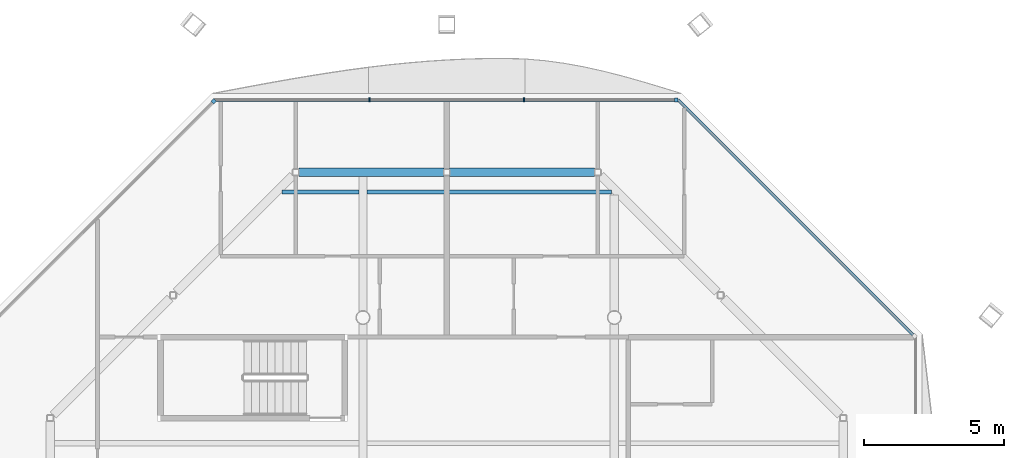
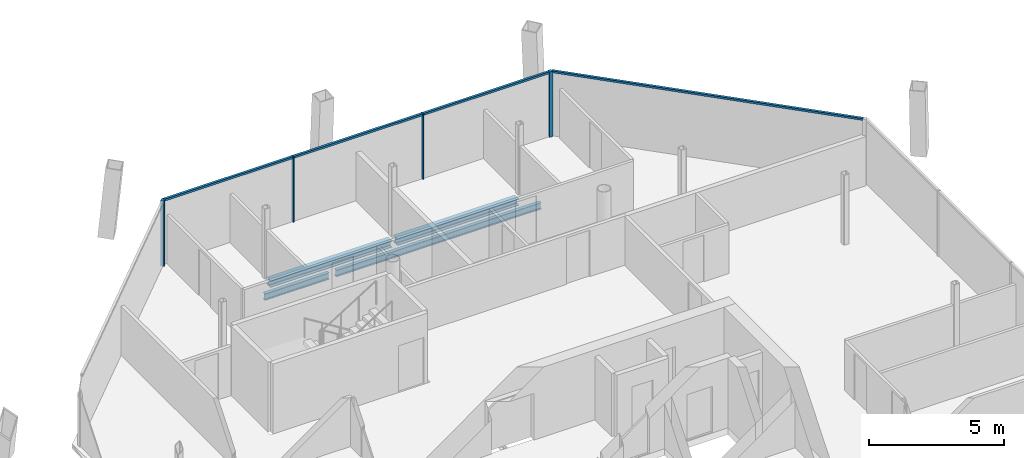
# One storey, part 8 of 16: 8 members, 4 beams, 3 elements without a shape of their own.
"""IFC4 building model written with IfcOpenShell, lengths in metres."""

from ifc_helpers import new_model, si_unit, direction, frame, origin, origin_2d, place, context, subcontext, project, spatial, rectangle, i_section, extrude, material, material_profile, profile_set, type_object, element, aggregate, save


model = new_model("IFC4")

# Units and contexts
model_context = context("Model", 3, precision=1e-05, world=origin(), true_north=direction((0.0, 1.0)))
body_context = subcontext(model_context, "Body", "Model", "MODEL_VIEW")
ifc_project = project(units=[si_unit("LENGTHUNIT", "METRE"), si_unit("AREAUNIT", "SQUARE_METRE"), si_unit("VOLUMEUNIT", "CUBIC_METRE"), si_unit("PLANEANGLEUNIT", "RADIAN"), si_unit("MASSUNIT", "GRAM", prefix="KILO")], contexts=[model_context])

# Site, building, storey
site_placement = place(None, origin())
site = spatial("IfcSite", under=ifc_project, at=site_placement, CompositionType="ELEMENT")
building_placement = place(site_placement, origin())
building = spatial("IfcBuilding", under=site, at=building_placement, Name="Tskaro Facet Tower", CompositionType="ELEMENT")
storey_placement = place(building_placement, frame((0.0, 0.0, 265.800048828125)))
storey = spatial("IfcBuildingStorey", under=building, at=storey_placement, Name="L70", CompositionType="ELEMENT", Elevation=265.800048828125)

# Curtain wall, member
ifc_material_1 = material(Name="Bronze anodised aluminium 6063-T6", Category="aluminium")
curtain_wall_type = type_object("IfcCurtainWallType", Name="Bronze residence curtain wall (FW3)", PredefinedType="NOTDEFINED", material=ifc_material_1)
curtain_wall_1_placement = place(storey_placement, origin())
curtain_wall_1 = element("IfcCurtainWall", 1, at=curtain_wall_1_placement, inside=storey, type_object=curtain_wall_type, Name="FW3 north facet L70", PredefinedType="NOTDEFINED")
ifc_material_profile_1 = material_profile(ifc_material_1, rectangle(XDim=0.139892578125, YDim=0.139892578125, at=origin_2d()), Name="Corner post 140x140")
ifc_profile_set_1 = profile_set([ifc_material_profile_1], Name="Bronze anodised aluminium 6063-T6")
member_type_1 = type_object("IfcMemberType", Name="FW3 bronze corner post 140x140", PredefinedType="MULLION", material=ifc_profile_set_1)
member_1_placement = place(storey_placement, frame((11.217041015625, 16.79296875, 0.0), z_axis=(0.0, 0.0, 1.0), x_axis=(-1.0, 0.0, 0.0)))
member_1 = element("IfcMember", 2, at=member_1_placement, type_object=member_type_1, Name="FW3 north corner post", PredefinedType="MULLION", context=body_context, shape_type="SweptSolid", body=[
    extrude(rectangle(XDim=0.139892578125, YDim=0.139892578125, at=origin_2d()), origin(), (0.0, 0.0, 1.0), 2.949951171875),
])

curtain_wall_2_placement = place(storey_placement, origin())
curtain_wall_2 = element("IfcCurtainWall", 3, at=curtain_wall_2_placement, inside=storey, type_object=curtain_wall_type, Name="FW3 north-west facet L70", PredefinedType="NOTDEFINED")
member_2_placement = place(storey_placement, frame((-5.33642578125, 16.743408203125, 0.0), z_axis=(0.0, 0.0, 1.0), x_axis=(-0.707106781187, -0.707106781187, 0.0)))
member_2 = element("IfcMember", 4, at=member_2_placement, type_object=member_type_1, Name="FW3 north-west corner post", PredefinedType="MULLION", context=body_context, shape_type="SweptSolid", body=[
    extrude(rectangle(XDim=0.139892578125, YDim=0.139892578125, at=origin_2d()), origin(), (0.0, 0.0, 1.0), 2.949951171875),
])
aggregate(curtain_wall_2, [member_2])

# Member
ifc_material_profile_2 = material_profile(ifc_material_1, rectangle(XDim=0.050048828125, YDim=0.139892578125, at=origin_2d()), Name="Mullion 50x140")
ifc_profile_set_2 = profile_set([ifc_material_profile_2], Name="Bronze anodised aluminium 6063-T6")
member_type_2 = type_object("IfcMemberType", Name="FW3 bronze mullion 50x140", PredefinedType="MULLION", material=ifc_profile_set_2)
member_3_placement = place(storey_placement, frame((5.762451171875, 16.79296875, 0.0), z_axis=(0.0, 0.0, 1.0), x_axis=(-1.0, 0.0, 0.0)))
member_3 = element("IfcMember", 5, at=member_3_placement, type_object=member_type_2, Name="FW3 north mullion 1", PredefinedType="MULLION", context=body_context, shape_type="SweptSolid", body=[
    extrude(rectangle(XDim=0.050048828125, YDim=0.139892578125, at=origin_2d()), origin(), (0.0, 0.0, 1.0), 2.949951171875),
])

member_4_placement = place(storey_placement, frame((0.237548828125, 16.79296875, 0.0), z_axis=(0.0, 0.0, 1.0), x_axis=(-1.0, 0.0, 0.0)))
member_4 = element("IfcMember", 6, at=member_4_placement, type_object=member_type_2, Name="FW3 north mullion 2", PredefinedType="MULLION", context=body_context, shape_type="SweptSolid", body=[
    extrude(rectangle(XDim=0.050048828125, YDim=0.139892578125, at=origin_2d()), origin(), (0.0, 0.0, 1.0), 2.949951171875),
])

# Curtain wall, member
curtain_wall_3_placement = place(storey_placement, origin())
curtain_wall_3 = element("IfcCurtainWall", 7, at=curtain_wall_3_placement, inside=storey, type_object=curtain_wall_type, Name="FW3 north-east facet L70", PredefinedType="NOTDEFINED")
ifc_material_profile_3 = material_profile(ifc_material_1, rectangle(XDim=0.10009765625, YDim=0.090087890625, at=origin_2d()), Name="Transom 100x90")
ifc_profile_set_3 = profile_set([ifc_material_profile_3], Name="Bronze anodised aluminium 6063-T6")
member_type_3 = type_object("IfcMemberType", Name="FW3 bronze transom 100x90", PredefinedType="USERDEFINED", material=ifc_profile_set_3)
member_5_placement = place(storey_placement, frame((19.694091796875, 8.385986328125, 2.905029296875), z_axis=(-0.707106781187, 0.707106781187, 0.0), x_axis=(-0.707106781187, -0.707106781187, 0.0)))
member_5 = element("IfcMember", 8, at=member_5_placement, type_object=member_type_3, Name="FW3 north-east transom 1.1", ObjectType="TRANSOM", PredefinedType="USERDEFINED", context=body_context, shape_type="SweptSolid", body=[
    extrude(rectangle(XDim=0.10009765625, YDim=0.090087890625, at=origin_2d()), origin(), (0.0, 0.0, 1.0), 11.88916015625),
])
aggregate(curtain_wall_3, [member_5])

# Member
member_6_placement = place(storey_placement, frame((11.14697265625, 16.79296875, 2.905029296875), z_axis=(-1.0, 0.0, 0.0), x_axis=(0.0, -1.0, 0.0)))
member_6 = element("IfcMember", 9, at=member_6_placement, type_object=member_type_3, Name="FW3 north transom 1.1", ObjectType="TRANSOM", PredefinedType="USERDEFINED", context=body_context, shape_type="SweptSolid", body=[
    extrude(rectangle(XDim=0.10009765625, YDim=0.090087890625, at=origin_2d()), origin(), (0.0, 0.0, 1.0), 5.359619140625),
])

member_7_placement = place(storey_placement, frame((5.7373046875, 16.79296875, 2.905029296875), z_axis=(-1.0, 0.0, 0.0), x_axis=(0.0, -1.0, 0.0)))
member_7 = element("IfcMember", 10, at=member_7_placement, type_object=member_type_3, Name="FW3 north transom 2.1", ObjectType="TRANSOM", PredefinedType="USERDEFINED", context=body_context, shape_type="SweptSolid", body=[
    extrude(rectangle(XDim=0.10009765625, YDim=0.090087890625, at=origin_2d()), origin(), (0.0, 0.0, 1.0), 5.474609375),
])

member_8_placement = place(storey_placement, frame((0.212646484375, 16.79296875, 2.905029296875), z_axis=(-1.0, 0.0, 0.0), x_axis=(0.0, -1.0, 0.0)))
member_8 = element("IfcMember", 11, at=member_8_placement, type_object=member_type_3, Name="FW3 north transom 3.1", ObjectType="TRANSOM", PredefinedType="USERDEFINED", context=body_context, shape_type="SweptSolid", body=[
    extrude(rectangle(XDim=0.10009765625, YDim=0.090087890625, at=origin_2d()), origin(), (0.0, 0.0, 1.0), 5.499755859375),
])

aggregate(curtain_wall_1, [member_1, member_3, member_4, member_6, member_7, member_8])

# Beams
ifc_material_2 = material(Name="Steel S355J2", Category="steel")
ifc_material_profile_4 = material_profile(ifc_material_2, i_section(OverallWidth=0.300048828125, OverallDepth=0.300048828125, WebThickness=0.010986328125, FlangeThickness=0.01904296875, FilletRadius=0.027099609375, at=origin_2d()), Name="HE 300 B")
ifc_profile_set_4 = profile_set([ifc_material_profile_4], Name="Steel S355J2")
beam_type_1 = type_object("IfcBeamType", Name="HE 300 B ring beam", PredefinedType="BEAM", material=ifc_profile_set_4)
for number, where, z_axis, x_axis, name in (
    (12, (8.298095703125, 14.199951171875, -0.2900390625), (-1.0, 0.0, 0.0), (0.0, -1.0, 0.0), "HE 300 B EB9-6"),
    (13, (2.89501953125, 14.199951171875, -0.2900390625), (-1.0, 0.0, 0.0), (0.0, -1.0, 0.0), "HE 300 B EB10-6"),
):
    element("IfcBeam", number, at=place(storey_placement, frame(where, z_axis=z_axis, x_axis=x_axis)), inside=storey, type_object=beam_type_1, Name=name, PredefinedType="BEAM", context=body_context, shape_type="SweptSolid", body=[
        extrude(i_section(OverallWidth=0.300048828125, OverallDepth=0.300048828125, WebThickness=0.010986328125, FlangeThickness=0.01904296875, FilletRadius=0.027099609375, at=origin_2d()), origin(), (0.0, 0.0, 1.0), 5.193115234375),
    ])
ifc_material_profile_5 = material_profile(ifc_material_2, i_section(OverallWidth=0.14990234375, OverallDepth=0.300048828125, WebThickness=0.007080078125, FlangeThickness=0.0107421875, FilletRadius=0.014892578125, at=origin_2d()), Name="IPE 300")
ifc_profile_set_5 = profile_set([ifc_material_profile_5], Name="Steel S355J2")
beam_type_2 = type_object("IfcBeamType", Name="IPE 300 secondary beam", PredefinedType="BEAM", material=ifc_profile_set_5)
beam_1_placement = place(storey_placement, frame((-2.89111328125, 13.5, -0.2900390625), z_axis=(1.0, 0.0, 0.0), x_axis=(0.0, 1.0, 0.0)))
element("IfcBeam", 14, at=beam_1_placement, inside=storey, type_object=beam_type_2, Name="IPE 300 SB5a-1-6", PredefinedType="BEAM", context=body_context, shape_type="SweptSolid", body=[
    extrude(i_section(OverallWidth=0.14990234375, OverallDepth=0.300048828125, WebThickness=0.007080078125, FlangeThickness=0.0107421875, FilletRadius=0.014892578125, at=origin_2d()), origin(), (0.0, 0.0, 1.0), 2.7412109375),
])
beam_2_placement = place(storey_placement, frame((0.14990234375, 13.5, -0.2900390625), z_axis=(1.0, 0.0, 0.0), x_axis=(0.0, 1.0, 0.0)))
element("IfcBeam", 15, at=beam_2_placement, inside=storey, type_object=beam_type_2, Name="IPE 300 SB5a-2-6", PredefinedType="BEAM", context=body_context, shape_type="SweptSolid", body=[
    extrude(i_section(OverallWidth=0.14990234375, OverallDepth=0.300048828125, WebThickness=0.007080078125, FlangeThickness=0.0107421875, FilletRadius=0.014892578125, at=origin_2d()), origin(), (0.0, 0.0, 1.0), 8.7412109375),
])

save(model, "model.ifc")
